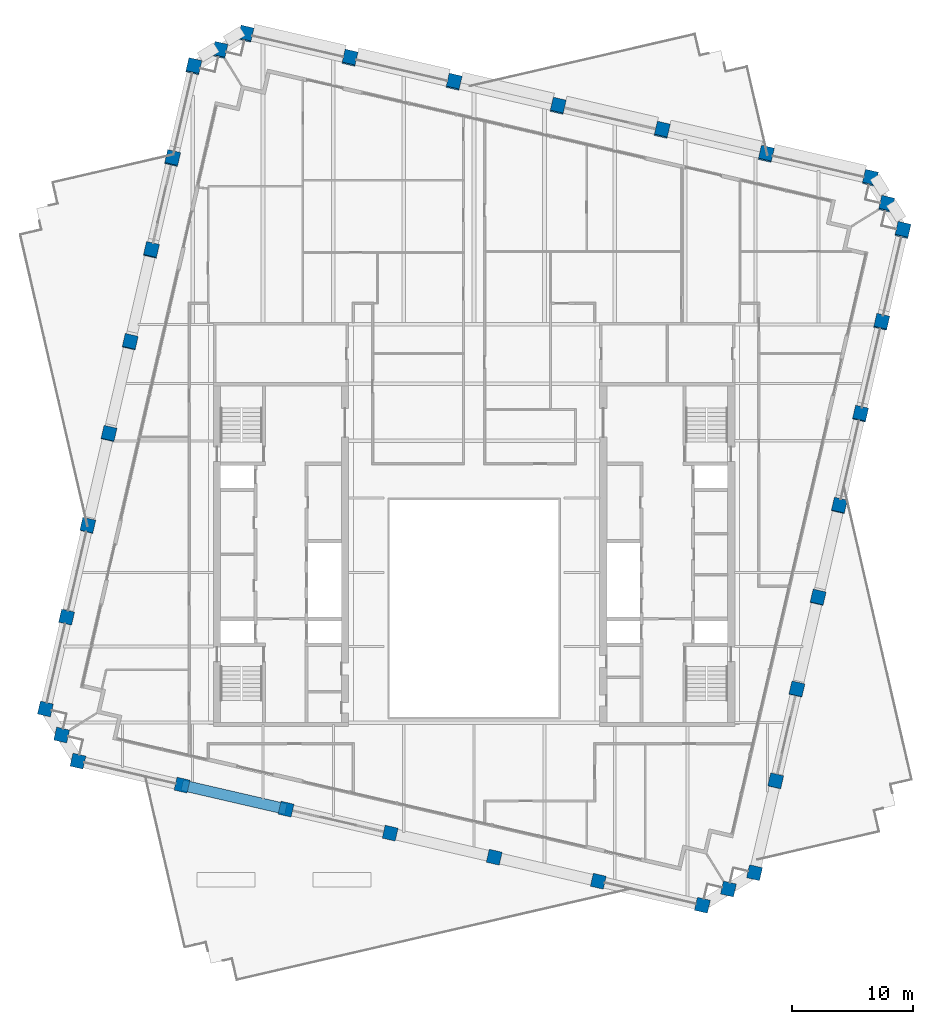
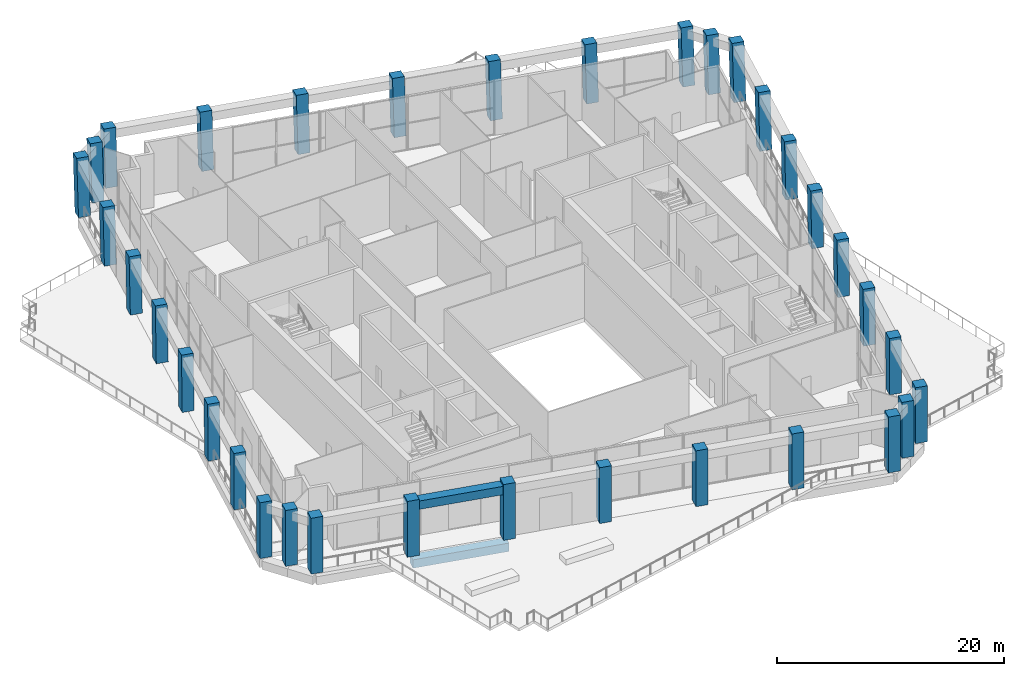
# One storey, part 1 of 21: 34 columns, 2 beams.
"""IFC4 building model written with IfcOpenShell, lengths in metres."""

from ifc_helpers import new_model, si_unit, direction, frame, origin, origin_2d, place, context, subcontext, project, spatial, rectangle, extrude, material, material_profile, profile_set, type_object, element, save


model = new_model("IFC4")

# Units and contexts
model_context = context("Model", 3, precision=1e-05, world=origin(), true_north=direction((0.0, 1.0)))
body_context = subcontext(model_context, "Body", "Model", "MODEL_VIEW")
ifc_project = project(units=[si_unit("LENGTHUNIT", "METRE"), si_unit("AREAUNIT", "SQUARE_METRE"), si_unit("VOLUMEUNIT", "CUBIC_METRE"), si_unit("PLANEANGLEUNIT", "RADIAN"), si_unit("MASSUNIT", "GRAM", prefix="KILO")], contexts=[model_context])

# Site, building, storey
site_placement = place(None, origin())
site = spatial("IfcSite", under=ifc_project, at=site_placement, CompositionType="ELEMENT")
building_placement = place(site_placement, origin())
building = spatial("IfcBuilding", under=site, at=building_placement, Name="Ogive Exchange Tower", CompositionType="ELEMENT")
storey_placement = place(building_placement, frame((0.0, 0.0, 237.0)))
storey = spatial("IfcBuildingStorey", under=building, at=storey_placement, Name="L51", CompositionType="ELEMENT", Elevation=237.0)

# Columns
ifc_material = material(Name="Precast concrete C70/85 (limestone faced)", Category="masonry")
ifc_material_profile_1 = material_profile(ifc_material, rectangle(XDim=1.10009765625, YDim=1.10009765625, at=origin_2d()), Name="1100 x 1100")
ifc_profile_set_1 = profile_set([ifc_material_profile_1], Name="Precast concrete C70/85 (limestone faced)")
column_type = type_object("IfcColumnType", Name="Precast exoskeleton leg 1100 x 1100 C70/85", PredefinedType="COLUMN", material=ifc_profile_set_1)
for number, where, z_axis, x_axis, name in (
    (1, (-32.820556640625, -5.635498046875, 0.0), (0.0, 0.0, 1.0), (0.974370064785, -0.224951054344, 0.0), "Exoskeleton leg 1"),
    (2, (-24.197265625, -7.62646484375, 0.0), (0.0, 0.0, 1.0), (0.974370064785, -0.224951054344, 0.0), "Exoskeleton leg 2"),
    (3, (-15.57421875, -9.6171875, 0.0), (0.0, 0.0, 1.0), (0.974370064785, -0.224951054344, 0.0), "Exoskeleton leg 3"),
    (4, (-6.950927734375, -11.60791015625, 0.0), (0.0, 0.0, 1.0), (0.974370064785, -0.224951054344, 0.0), "Exoskeleton leg 4"),
    (5, (1.672119140625, -13.598876953125, 0.0), (0.0, 0.0, 1.0), (0.974370064785, -0.224951054344, 0.0), "Exoskeleton leg 5"),
    (6, (10.29541015625, -15.589599609375, 0.0), (0.0, 0.0, 1.0), (0.974370064785, -0.224951054344, 0.0), "Exoskeleton leg 6"),
    (7, (18.91845703125, -17.58056640625, 0.0), (0.0, 0.0, 1.0), (0.974370064785, -0.224951054344, 0.0), "Exoskeleton leg 7"),
    (8, (23.236083984375, -14.882568359375, 0.0), (0.0, 0.0, 1.0), (0.974370064785, -0.224951054344, 0.0), "Exoskeleton leg 8"),
):
    element("IfcColumn", number, at=place(storey_placement, frame(where, z_axis=z_axis, x_axis=x_axis)), inside=storey, type_object=column_type, Name=name, PredefinedType="COLUMN", context=body_context, shape_type="SweptSolid", body=[
        extrude(rectangle(XDim=1.10009765625, YDim=1.10009765625, at=origin_2d()), origin(), (0.0, 0.0, 1.0), 6.0),
    ])
column_1_placement = place(storey_placement, frame((24.99072265625, -7.282470703125, 0.0), z_axis=(0.002929440379, 0.012653554971, 0.999915649405), x_axis=(-0.974232565058, 0.225545802843, 0.0)))
element("IfcColumn", 9, at=column_1_placement, inside=storey, type_object=column_type, Name="Exoskeleton leg 9", PredefinedType="COLUMN", context=body_context, shape_type="SweptSolid", body=[
    extrude(rectangle(XDim=1.10009765625, YDim=1.10009765625, at=origin_2d()), origin(), (0.0, 0.0, 1.0), 6.00048828125),
])
column_2_placement = place(storey_placement, frame((26.745361328125, 0.317626953125, 0.0), z_axis=(0.005857398783, 0.025300708632, 0.999662725634), x_axis=(-0.974232565058, 0.225545802843, 0.0)))
element("IfcColumn", 10, at=column_2_placement, inside=storey, type_object=column_type, Name="Exoskeleton leg 10", PredefinedType="COLUMN", context=body_context, shape_type="SweptSolid", body=[
    extrude(rectangle(XDim=1.10009765625, YDim=1.10009765625, at=origin_2d()), origin(), (0.0, 0.0, 1.0), 6.001953125),
])
column_3_placement = place(storey_placement, frame((28.5, 7.917724609375, 0.0), z_axis=(0.008741740851, 0.037935089368, 0.999241968175), x_axis=(-0.974461559539, 0.224554378672, 0.0)))
element("IfcColumn", 11, at=column_3_placement, inside=storey, type_object=column_type, Name="Exoskeleton leg 11", PredefinedType="COLUMN", context=body_context, shape_type="SweptSolid", body=[
    extrude(rectangle(XDim=1.10009765625, YDim=1.10009765625, at=origin_2d()), origin(), (0.0, 0.0, 1.0), 6.004638671875),
])
column_4_placement = place(storey_placement, frame((30.254638671875, 15.517822265625, 0.0), z_axis=(0.01166233446, 0.050550327764, 0.998653420521), x_axis=(-0.974404395419, 0.224802300229, 0.0)))
element("IfcColumn", 12, at=column_4_placement, inside=storey, type_object=column_type, Name="Exoskeleton leg 12", PredefinedType="COLUMN", context=body_context, shape_type="SweptSolid", body=[
    extrude(rectangle(XDim=1.10009765625, YDim=1.10009765625, at=origin_2d()), origin(), (0.0, 0.0, 1.0), 6.008056640625),
])
column_5_placement = place(storey_placement, frame((32.00927734375, 23.117919921875, 0.0), z_axis=(0.014536448965, 0.063140162405, 0.997898798247), x_axis=(-0.974507250238, 0.224356010023, 0.0)))
element("IfcColumn", 13, at=column_5_placement, inside=storey, type_object=column_type, Name="Exoskeleton leg 13", PredefinedType="COLUMN", context=body_context, shape_type="SweptSolid", body=[
    extrude(rectangle(XDim=1.10009765625, YDim=1.10009765625, at=origin_2d()), origin(), (0.0, 0.0, 1.0), 6.0126953125),
])
column_6_placement = place(storey_placement, frame((33.763916015625, 30.718017578125, 0.0), z_axis=(0.017443872675, 0.075698293979, 0.996978174081), x_axis=(-0.974461559539, 0.224554378672, 0.0)))
element("IfcColumn", 14, at=column_6_placement, inside=storey, type_object=column_type, Name="Exoskeleton leg 14", PredefinedType="COLUMN", context=body_context, shape_type="SweptSolid", body=[
    extrude(rectangle(XDim=1.10009765625, YDim=1.10009765625, at=origin_2d()), origin(), (0.0, 0.0, 1.0), 6.01806640625),
])
for number, where, z_axis, x_axis, name in (
    (15, (35.518310546875, 38.318115234375, 0.0), (0.02038305527, 0.088218511577, 0.995892577175), (-0.97433081589, 0.225120992372, 0.0), "Exoskeleton leg 15"),
    (16, (32.820556640625, 42.635498046875, 0.0), (0.020342549083, 0.088218584371, 0.995893398948), (-0.97442890123, 0.224696053476, 0.0), "Exoskeleton leg 16"),
    (17, (24.197265625, 44.62646484375, 0.0), (0.02038305527, 0.088218511577, 0.995892577175), (-0.97433081589, 0.225120992372, 0.0), "Exoskeleton leg 17"),
    (18, (15.57421875, 46.6171875, 0.0), (0.02038305527, 0.088218511577, 0.995892577175), (-0.97433081589, 0.225120992372, 0.0), "Exoskeleton leg 18"),
    (19, (6.950927734375, 48.60791015625, 0.0), (0.02038305527, 0.088218511577, 0.995892577175), (-0.97433081589, 0.225120992372, 0.0), "Exoskeleton leg 19"),
    (20, (-1.672119140625, 50.598876953125, 0.0), (0.020342549083, 0.088218584371, 0.995893398948), (-0.97442890123, 0.224696053476, 0.0), "Exoskeleton leg 20"),
    (21, (-10.29541015625, 52.589599609375, 0.0), (0.02038305527, 0.088218511577, 0.995892577175), (-0.97433081589, 0.225120992372, 0.0), "Exoskeleton leg 21"),
    (22, (-18.91845703125, 54.58056640625, 0.0), (0.020342549083, 0.088218584371, 0.995893398948), (-0.97442890123, 0.224696053476, 0.0), "Exoskeleton leg 22"),
    (23, (-23.236083984375, 51.882568359375, 0.0), (0.02038305527, 0.088218511577, 0.995892577175), (-0.97433081589, 0.225120992372, 0.0), "Exoskeleton leg 23"),
):
    element("IfcColumn", number, at=place(storey_placement, frame(where, z_axis=z_axis, x_axis=x_axis)), inside=storey, type_object=column_type, Name=name, PredefinedType="COLUMN", context=body_context, shape_type="SweptSolid", body=[
        extrude(rectangle(XDim=1.10009765625, YDim=1.10009765625, at=origin_2d()), origin(), (0.0, 0.0, 1.0), 6.024658203125),
    ])
column_7_placement = place(storey_placement, frame((-24.990478515625, 44.28369140625, 0.01611328125), z_axis=(0.017490830204, 0.075698686067, 0.996977321601), x_axis=(-0.974329391618, 0.22512715658, 0.0)))
element("IfcColumn", 24, at=column_7_placement, inside=storey, type_object=column_type, Name="Exoskeleton leg 24", PredefinedType="COLUMN", context=body_context, shape_type="SweptSolid", body=[
    extrude(rectangle(XDim=1.10009765625, YDim=1.10009765625, at=origin_2d()), origin(), (0.0, 0.0, 1.0), 6.001953125),
])
column_8_placement = place(storey_placement, frame((-26.745361328125, 36.682373046875, 0.0), z_axis=(0.014577044955, 0.063140125085, 0.997898208418), x_axis=(-0.974370069894, 0.224951032214, 0.0)))
element("IfcColumn", 25, at=column_8_placement, inside=storey, type_object=column_type, Name="Exoskeleton leg 25", PredefinedType="COLUMN", context=body_context, shape_type="SweptSolid", body=[
    extrude(rectangle(XDim=1.10009765625, YDim=1.10009765625, at=origin_2d()), origin(), (0.0, 0.0, 1.0), 6.0126953125),
])
column_9_placement = place(storey_placement, frame((-28.5, 29.082275390625, 0.0), z_axis=(0.011702964216, 0.050550303766, 0.998652946432), x_axis=(-0.974232565058, 0.225545802843, 0.0)))
element("IfcColumn", 26, at=column_9_placement, inside=storey, type_object=column_type, Name="Exoskeleton leg 26", PredefinedType="COLUMN", context=body_context, shape_type="SweptSolid", body=[
    extrude(rectangle(XDim=1.10009765625, YDim=1.10009765625, at=origin_2d()), origin(), (0.0, 0.0, 1.0), 6.008056640625),
])
column_10_placement = place(storey_placement, frame((-30.254638671875, 21.482177734375, 0.0), z_axis=(0.008782396982, 0.037935075853, 0.999241612186), x_axis=(-0.974232565058, 0.225545802843, 0.0)))
element("IfcColumn", 27, at=column_10_placement, inside=storey, type_object=column_type, Name="Exoskeleton leg 27", PredefinedType="COLUMN", context=body_context, shape_type="SweptSolid", body=[
    extrude(rectangle(XDim=1.10009765625, YDim=1.10009765625, at=origin_2d()), origin(), (0.0, 0.0, 1.0), 6.004638671875),
])
column_11_placement = place(storey_placement, frame((-32.00927734375, 13.882080078125, 0.0), z_axis=(0.005857398783, 0.025300708632, 0.999662725634), x_axis=(-0.974232565058, 0.225545802843, 0.0)))
element("IfcColumn", 28, at=column_11_placement, inside=storey, type_object=column_type, Name="Exoskeleton leg 28", PredefinedType="COLUMN", context=body_context, shape_type="SweptSolid", body=[
    extrude(rectangle(XDim=1.10009765625, YDim=1.10009765625, at=origin_2d()), origin(), (0.0, 0.0, 1.0), 6.001953125),
])
column_12_placement = place(storey_placement, frame((-33.763916015625, 6.281982421875, 0.0), z_axis=(0.002929440379, 0.012653554971, 0.999915649405), x_axis=(-0.974232565058, 0.225545802843, 0.0)))
element("IfcColumn", 29, at=column_12_placement, inside=storey, type_object=column_type, Name="Exoskeleton leg 29", PredefinedType="COLUMN", context=body_context, shape_type="SweptSolid", body=[
    extrude(rectangle(XDim=1.10009765625, YDim=1.10009765625, at=origin_2d()), origin(), (0.0, 0.0, 1.0), 6.00048828125),
])
for number, where, z_axis, x_axis, name in (
    (30, (-35.518310546875, -1.318115234375, 0.0), (0.0, 0.0, 1.0), (0.974370064785, -0.224951054344, 0.0), "Exoskeleton leg 30"),
    (31, (21.077392578125, -16.2314453125, 0.0), (0.0, 0.0, 1.0), (0.974370064785, -0.224951054344, 0.0), "Exoskeleton leg 31"),
):
    element("IfcColumn", number, at=place(storey_placement, frame(where, z_axis=z_axis, x_axis=x_axis)), inside=storey, type_object=column_type, Name=name, PredefinedType="COLUMN", context=body_context, shape_type="SweptSolid", body=[
        extrude(rectangle(XDim=1.10009765625, YDim=1.10009765625, at=origin_2d()), origin(), (0.0, 0.0, 1.0), 6.0),
    ])
for number, where, z_axis, x_axis, name in (
    (32, (34.16943359375, 40.476806640625, 0.0), (0.02038305527, 0.088218511577, 0.995892577175), (-0.97433081589, 0.225120992372, 0.0), "Exoskeleton leg 32"),
    (33, (-21.077392578125, 53.2314453125, 0.0), (0.02038305527, 0.088218511577, 0.995892577175), (-0.97433081589, 0.225120992372, 0.0), "Exoskeleton leg 33"),
):
    element("IfcColumn", number, at=place(storey_placement, frame(where, z_axis=z_axis, x_axis=x_axis)), inside=storey, type_object=column_type, Name=name, PredefinedType="COLUMN", context=body_context, shape_type="SweptSolid", body=[
        extrude(rectangle(XDim=1.10009765625, YDim=1.10009765625, at=origin_2d()), origin(), (0.0, 0.0, 1.0), 6.024658203125),
    ])
column_13_placement = place(storey_placement, frame((-34.16943359375, -3.476806640625, 0.0), z_axis=(0.0, 0.0, 1.0), x_axis=(0.974370064785, -0.224951054344, 0.0)))
element("IfcColumn", 34, at=column_13_placement, inside=storey, type_object=column_type, Name="Exoskeleton leg 34", PredefinedType="COLUMN", context=body_context, shape_type="SweptSolid", body=[
    extrude(rectangle(XDim=1.10009765625, YDim=1.10009765625, at=origin_2d()), origin(), (0.0, 0.0, 1.0), 6.0),
])

# Beams
ifc_material_profile_2 = material_profile(ifc_material, rectangle(XDim=0.89990234375, YDim=0.89990234375, at=origin_2d()), Name="900 x 900")
ifc_profile_set_2 = profile_set([ifc_material_profile_2], Name="Precast concrete C70/85 (limestone faced)")
beam_type_1 = type_object("IfcBeamType", Name="Precast spandrel 900 x 900 C70/85", PredefinedType="SPANDREL", material=ifc_profile_set_2)
beam_1_placement = place(storey_placement, frame((-23.680908203125, -7.74560546875, 5.300048828125), z_axis=(0.974367949416, -0.224960216819, 0.0), x_axis=(0.224960216819, 0.974367949416, 0.0)))
element("IfcBeam", 35, at=beam_1_placement, inside=storey, type_object=beam_type_1, Name="Spandrel 2", PredefinedType="SPANDREL", context=body_context, shape_type="SweptSolid", body=[
    extrude(rectangle(XDim=0.89990234375, YDim=0.89990234375, at=origin_2d()), origin(), (0.0, 0.0, 1.0), 7.7900390625),
])
ifc_material_profile_3 = material_profile(ifc_material, rectangle(XDim=0.89990234375, YDim=0.89990234375, at=origin_2d()), Name="900 x 900")
ifc_profile_set_3 = profile_set([ifc_material_profile_3], Name="Precast concrete C70/85 (limestone faced)")
beam_type_2 = type_object("IfcBeamType", Name="Precast transfer girder 900 x 900 C70/85", PredefinedType="BEAM", material=ifc_profile_set_3)
beam_2_placement = place(storey_placement, frame((-24.197265625, -7.62646484375, -0.89990234375), z_axis=(0.974371664167, -0.224944126546, 0.0), x_axis=(0.224944126546, 0.974371664167, 0.0)))
element("IfcBeam", 36, at=beam_2_placement, inside=storey, type_object=beam_type_2, Name="Transfer girder 2", PredefinedType="BEAM", context=body_context, shape_type="SweptSolid", body=[
    extrude(rectangle(XDim=0.89990234375, YDim=0.89990234375, at=origin_2d()), origin(), (0.0, 0.0, 1.0), 8.849853515625),
])

save(model, "model.ifc")
